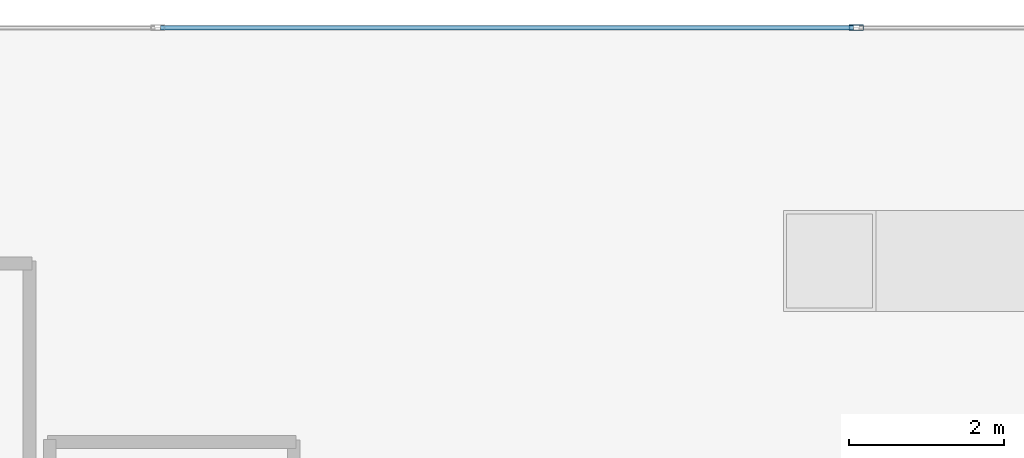
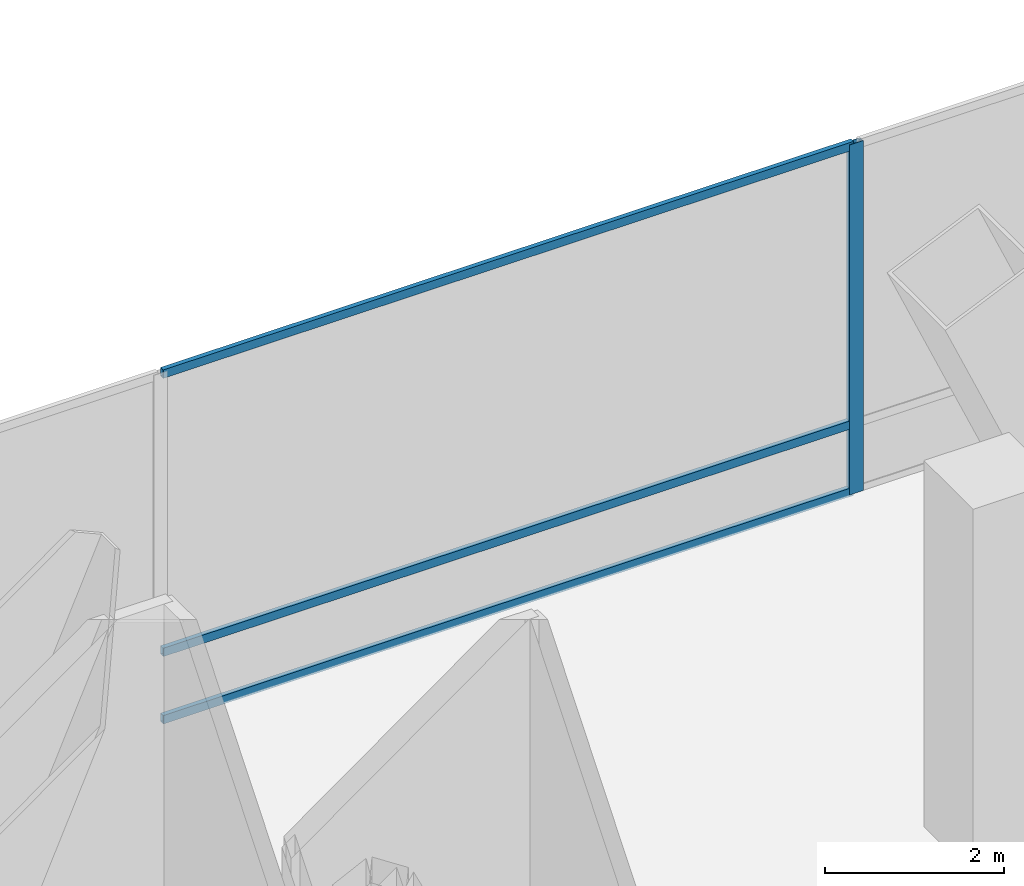
# One storey, part 21 of 42: 4 members, 1 element without a shape of its own.
"""IFC4 building model written with IfcOpenShell, lengths in metres."""

from ifc_helpers import new_model, si_unit, direction, frame, origin, origin_2d, place, context, subcontext, project, spatial, hollow_rectangle, extrude, material, layer, layer_set, material_profile, profile_set, type_object, element, aggregate, save


model = new_model("IFC4")

# Units and contexts
model_context = context("Model", 3, precision=1e-05, world=origin(), true_north=direction((0.0, 1.0)))
body_context = subcontext(model_context, "Body", "Model", "MODEL_VIEW")
ifc_project = project(units=[si_unit("LENGTHUNIT", "METRE"), si_unit("AREAUNIT", "SQUARE_METRE"), si_unit("VOLUMEUNIT", "CUBIC_METRE"), si_unit("PLANEANGLEUNIT", "RADIAN"), si_unit("MASSUNIT", "GRAM", prefix="KILO")], contexts=[model_context])

# Site, building, storey
site_placement = place(None, origin())
site = spatial("IfcSite", under=ifc_project, at=site_placement, CompositionType="ELEMENT")
building_placement = place(site_placement, origin())
building = spatial("IfcBuilding", under=site, at=building_placement, Name="Qianvela Tower", CompositionType="ELEMENT")
storey_placement = place(building_placement, frame((0.0, 0.0, 6.0)))
storey = spatial("IfcBuildingStorey", under=building, at=storey_placement, Name="L01", CompositionType="ELEMENT", Elevation=6.0)

# Curtain wall, members
ifc_material_1 = material(Name="Anodised Architectural Aluminium and Low-E Glass", Category="aluminium")
ifc_layer = layer(ifc_material_1, 0.179931640625)
ifc_layer_set = layer_set([ifc_layer], Name="Anodised Architectural Aluminium and Low-E Glass")
curtain_wall_type = type_object("IfcCurtainWallType", Name="CW-COMMONS", PredefinedType="USERDEFINED", material=ifc_layer_set)
curtain_wall_placement = place(storey_placement, origin())
curtain_wall = element("IfcCurtainWall", 1, at=curtain_wall_placement, inside=storey, type_object=curtain_wall_type, Name="L01 CW-COMMONS Curtain Wall 05", ObjectType="CURTAIN_WALL_SYSTEM", PredefinedType="USERDEFINED")
ifc_material_2 = material(Name="Anodised Architectural Aluminium 6063-T6", Category="aluminium")
ifc_material_profile_1 = material_profile(ifc_material_2, hollow_rectangle(XDim=0.070068359375, YDim=0.179931640625, WallThickness=0.0048828125, at=origin_2d()), Name="ALU-MULL-70x180")
ifc_profile_set_1 = profile_set([ifc_material_profile_1], Name="Anodised Architectural Aluminium 6063-T6")
member_type_1 = type_object("IfcMemberType", Name="CW-COMMONS-MULL", PredefinedType="MULLION", material=ifc_profile_set_1)
member_1_placement = place(storey_placement, frame((33.007080078125, 50.5, 0.0), z_axis=(0.0, 0.0, 1.0), x_axis=(0.0, -1.0, 0.0)))
member_1 = element("IfcMember", 2, at=member_1_placement, type_object=member_type_1, Name="CW-2 mullion 5", PredefinedType="MULLION", context=body_context, shape_type="SweptSolid", body=[
    extrude(hollow_rectangle(XDim=0.070068359375, YDim=0.179931640625, WallThickness=0.0048828125, at=origin_2d()), origin(), (0.0, 0.0, 1.0), 4.780029296875),
])
ifc_material_3 = material(Name="Anodised Architectural Aluminium 6063-T6", Category="aluminium")
ifc_material_profile_2 = material_profile(ifc_material_3, hollow_rectangle(XDim=0.06005859375, YDim=0.114990234375, WallThickness=0.00390625, at=origin_2d()), Name="ALU-TRAN-60x115")
ifc_profile_set_2 = profile_set([ifc_material_profile_2], Name="Anodised Architectural Aluminium 6063-T6")
member_type_2 = type_object("IfcMemberType", Name="CW-COMMONS-TRAN", PredefinedType="USERDEFINED", material=ifc_profile_set_2)
member_2_placement = place(storey_placement, frame((32.97216796875, 50.5, 0.030029296875), z_axis=(-1.0, 0.0, 0.0), x_axis=(0.0, -1.0, 0.0)))
member_2 = element("IfcMember", 3, at=member_2_placement, type_object=member_type_2, Name="CW-2 transom 5.1", ObjectType="TRANSOM", PredefinedType="USERDEFINED", context=body_context, shape_type="SweptSolid", body=[
    extrude(hollow_rectangle(XDim=0.06005859375, YDim=0.114990234375, WallThickness=0.00390625, at=origin_2d()), origin(), (0.0, 0.0, 1.0), 8.915771484375),
])
member_3_placement = place(storey_placement, frame((32.97216796875, 50.5, 0.949951171875), z_axis=(-1.0, 0.0, 0.0), x_axis=(0.0, -1.0, 0.0)))
member_3 = element("IfcMember", 4, at=member_3_placement, type_object=member_type_2, Name="CW-2 transom 5.2", ObjectType="TRANSOM", PredefinedType="USERDEFINED", context=body_context, shape_type="SweptSolid", body=[
    extrude(hollow_rectangle(XDim=0.06005859375, YDim=0.114990234375, WallThickness=0.00390625, at=origin_2d()), origin(), (0.0, 0.0, 1.0), 8.915771484375),
])
member_4_placement = place(storey_placement, frame((32.97216796875, 50.5, 4.75), z_axis=(-1.0, 0.0, 0.0), x_axis=(0.0, -1.0, 0.0)))
member_4 = element("IfcMember", 5, at=member_4_placement, type_object=member_type_2, Name="CW-2 transom 5.3", ObjectType="TRANSOM", PredefinedType="USERDEFINED", context=body_context, shape_type="SweptSolid", body=[
    extrude(hollow_rectangle(XDim=0.06005859375, YDim=0.114990234375, WallThickness=0.00390625, at=origin_2d()), origin(), (0.0, 0.0, 1.0), 8.915771484375),
])
aggregate(curtain_wall, [member_1, member_2, member_3, member_4])

save(model, "model.ifc")
